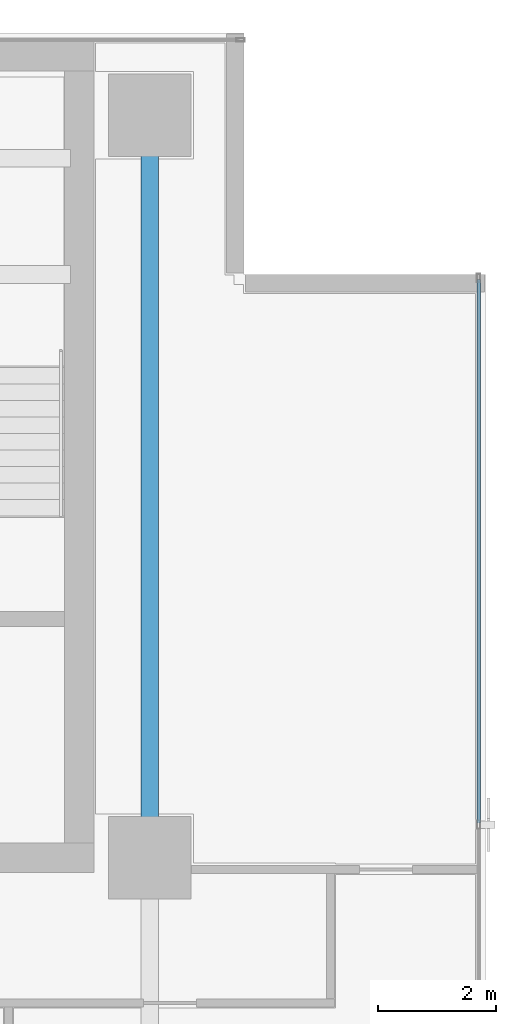
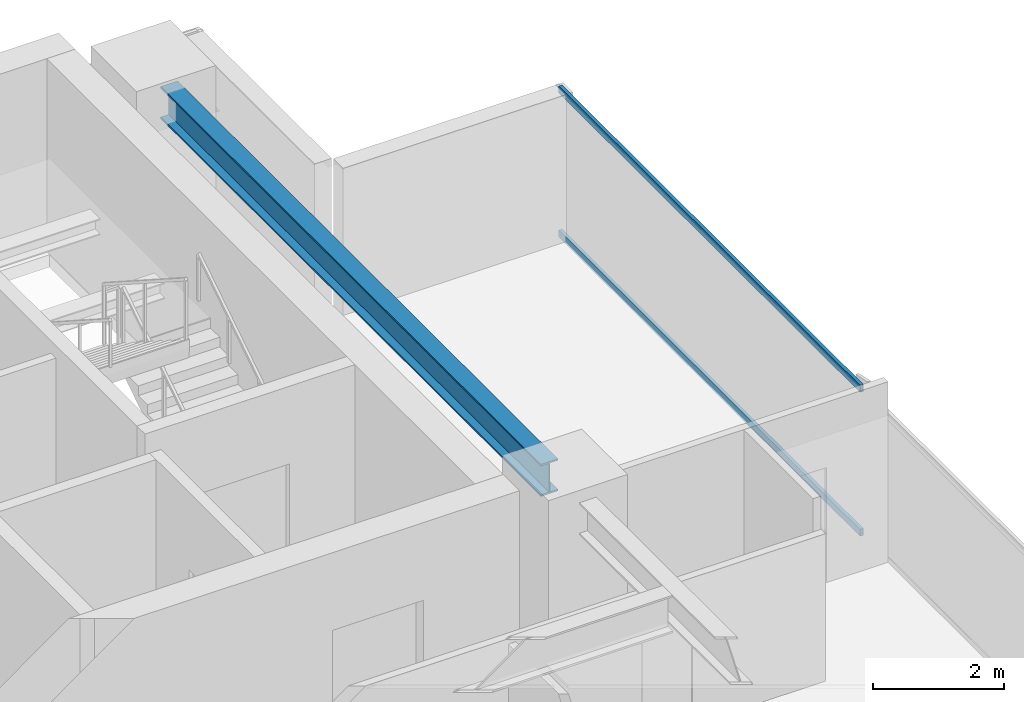
# One storey, part 14 of 25: 2 members, 1 beam, 1 element without a shape of its own.
"""IFC4 building model written with IfcOpenShell, lengths in metres."""

import ifcopenshell
import ifcopenshell.guid

model = None  # the IFC model being written
_history = None  # IfcOwnerHistory: only IFC2X3 demands one
_inside = {}  # id of a spatial element -> (the spatial element, [elements in it])
_under = {}  # id of a project, library or spatial element -> (it, [spatial elements below it])
_declared = {}  # id of a project -> (the project, [libraries it declares])
_typed = {}  # id of a type object -> (the type object, [elements of that type])
_made_of = {}  # id of a material, layer set ... -> (it, [elements and type objects made of it])


def new_model(schema):
    """Start an empty IFC model of exactly this schema.

    Asked for "IFC4X3", IfcOpenShell would pick the latest addendum, in which some entities
    have other attributes; the version numbers below select the first issue.
    IFC2X3 requires an IfcOwnerHistory on every rooted entity: one is made here for all.
    """
    global model, _history
    if schema == "IFC4X3":
        model = ifcopenshell.file(schema_version=(4, 3, 0, 0))
    else:
        model = ifcopenshell.file(schema=schema)
    _inside.clear()
    _under.clear()
    _declared.clear()
    _typed.clear()
    _made_of.clear()
    _history = None
    if model.schema == "IFC2X3":
        org = make("IfcOrganization", Name="unknown")
        user = make(
            "IfcPersonAndOrganization",
            ThePerson=make("IfcPerson", FamilyName="unknown"),
            TheOrganization=org,
        )
        app = make(
            "IfcApplication",
            ApplicationDeveloper=org,
            Version="unknown",
            ApplicationFullName="unknown",
            ApplicationIdentifier="unknown",
        )
        _history = make(
            "IfcOwnerHistory",
            OwningUser=user,
            OwningApplication=app,
            ChangeAction="ADDED",
            CreationDate=0,
        )
    return model


def make(cls, **values):
    """One entity of the class cls with the attributes given. An attribute that is None is left unset."""
    return model.create_entity(
        cls, **{name: value for name, value in values.items() if value is not None}
    )


def rooted(cls, **values):
    """An entity with a GlobalId (a new one), such as an element, a storey or a relation."""
    return make(cls, GlobalId=ifcopenshell.guid.new(), OwnerHistory=_history, **values)


def si_unit(unit_type, name, prefix=None):
    """IfcSIUnit, for example si_unit("LENGTHUNIT", "METRE", prefix="MILLI")."""
    return make("IfcSIUnit", UnitType=unit_type, Prefix=prefix, Name=name)


def assignment(units):
    """IfcUnitAssignment: the units of a project."""
    return None if units is None else make("IfcUnitAssignment", Units=units)


def point(xyz):
    """IfcCartesianPoint."""
    return None if xyz is None else make("IfcCartesianPoint", Coordinates=xyz)


def direction(xyz):
    """IfcDirection."""
    return None if xyz is None else make("IfcDirection", DirectionRatios=xyz)


def frame(location, z_axis=None, x_axis=None):
    """IfcAxis2Placement3D, a coordinate frame: its origin and axes. An axis left out is left unset."""
    return make(
        "IfcAxis2Placement3D",
        Location=point(location),
        Axis=direction(z_axis),
        RefDirection=direction(x_axis),
    )


def frame_2d(location, x_axis=None):
    """IfcAxis2Placement2D, a coordinate frame in the plane: its origin and x axis."""
    return make(
        "IfcAxis2Placement2D", Location=point(location), RefDirection=direction(x_axis)
    )


def origin():
    """The frame at (0, 0, 0) with its axes left unset."""
    return frame((0.0, 0.0, 0.0))


def origin_2d():
    """The frame at (0, 0) in the plane with its x axis left unset."""
    return frame_2d((0.0, 0.0))


def place(relative_to, where):
    """IfcLocalPlacement: puts the frame where relative to a parent placement (None: the world)."""
    return make(
        "IfcLocalPlacement", PlacementRelTo=relative_to, RelativePlacement=where
    )


def context(
    kind, dimensions, precision=None, world=None, true_north=None, identifier=None
):
    """IfcGeometricRepresentationContext, for example the 3D "Model" context."""
    return make(
        "IfcGeometricRepresentationContext",
        ContextIdentifier=identifier,
        ContextType=kind,
        CoordinateSpaceDimension=dimensions,
        Precision=precision,
        WorldCoordinateSystem=world,
        TrueNorth=true_north,
    )


def subcontext(parent, identifier, kind, view, scale=None):
    """IfcGeometricRepresentationSubContext, for example "Body" below "Model"."""
    return make(
        "IfcGeometricRepresentationSubContext",
        ContextIdentifier=identifier,
        ContextType=kind,
        ParentContext=parent,
        TargetScale=scale,
        TargetView=view,
    )


def project(units=None, contexts=None):
    """IfcProject with its units and contexts."""
    return rooted(
        "IfcProject",
        Name="project",
        RepresentationContexts=contexts,
        UnitsInContext=assignment(units),
    )


def spatial(cls, under=None, at=None, **own):
    """A site, building, storey or space (cls), placed at a placement, below another one or the project."""
    s = rooted(cls, ObjectPlacement=at, **own)
    if under is not None:
        _under.setdefault(under.id(), (under, []))[1].append(s)
    return s


def profile(cls, at=None, kind="AREA", **sizes):
    """A parametric profile (cls). Its sizes go by their IFC names, for example OverallWidth=200.0."""
    return make(cls, ProfileType=kind, Position=at, **sizes)


def hollow_rectangle(**sizes):
    """IfcRectangleHollowProfileDef."""
    return profile("IfcRectangleHollowProfileDef", **sizes)


def i_section(**sizes):
    """IfcIShapeProfileDef."""
    return profile("IfcIShapeProfileDef", **sizes)


def extrude(swept, where, along, depth):
    """IfcExtrudedAreaSolid: the profile swept, set in the frame where, extruded along a direction by depth."""
    return make(
        "IfcExtrudedAreaSolid",
        SweptArea=swept,
        Position=where,
        ExtrudedDirection=direction(along),
        Depth=depth,
    )


def shape(context_of_items, identifier, shape_type, items):
    """IfcShapeRepresentation: the items that make up one representation, for example the "Body"."""
    return make(
        "IfcShapeRepresentation",
        ContextOfItems=context_of_items,
        RepresentationIdentifier=identifier,
        RepresentationType=shape_type,
        Items=items,
    )


def source(mapping_origin, context_of_items, identifier, shape_type, items):
    """IfcRepresentationMap: a shape defined once, which mapped items show again and again."""
    return make(
        "IfcRepresentationMap",
        MappingOrigin=mapping_origin,
        MappedRepresentation=shape(context_of_items, identifier, shape_type, items),
    )


def transform(
    local_origin,
    x_axis=None,
    y_axis=None,
    z_axis=None,
    scale=None,
    scale2=None,
    scale3=None,
    uniform=True,
):
    """IfcCartesianTransformationOperator3D, or its non-uniform kind. x_axis, y_axis, z_axis: its Axis1, 2, 3."""
    if uniform:
        return make(
            "IfcCartesianTransformationOperator3D",
            Axis1=direction(x_axis),
            Axis2=direction(y_axis),
            LocalOrigin=point(local_origin),
            Scale=scale,
            Axis3=direction(z_axis),
        )
    return make(
        "IfcCartesianTransformationOperator3DnonUniform",
        Axis1=direction(x_axis),
        Axis2=direction(y_axis),
        LocalOrigin=point(local_origin),
        Scale=scale,
        Axis3=direction(z_axis),
        Scale2=scale2,
        Scale3=scale3,
    )


def mapped(mapping_source, mapping_target):
    """IfcMappedItem: shows the shape of a source again, moved by a transform."""
    return make(
        "IfcMappedItem", MappingSource=mapping_source, MappingTarget=mapping_target
    )


def material(Name=None, Category=None):
    """IfcMaterial."""
    return make("IfcMaterial", Name=Name, Category=Category)


def layer(
    of_material, thickness, ventilated=None, Name=None, Category=None, Priority=None
):
    """IfcMaterialLayer: one layer of a wall or slab, of a material (None: an air gap)."""
    return make(
        "IfcMaterialLayer",
        Material=of_material,
        LayerThickness=thickness,
        IsVentilated=ventilated,
        Name=Name,
        Category=Category,
        Priority=Priority,
    )


def layer_set(layers, Name=None):
    """IfcMaterialLayerSet."""
    return make("IfcMaterialLayerSet", MaterialLayers=layers, LayerSetName=Name)


def material_profile(
    of_material, cross_section, Name=None, Category=None, Priority=None
):
    """IfcMaterialProfile: a cross section and its material."""
    return make(
        "IfcMaterialProfile",
        Name=Name,
        Material=of_material,
        Profile=cross_section,
        Priority=Priority,
        Category=Category,
    )


def profile_set(profiles, Name=None, composite=None):
    """IfcMaterialProfileSet."""
    return make(
        "IfcMaterialProfileSet",
        Name=Name,
        MaterialProfiles=profiles,
        CompositeProfile=composite,
    )


def made_of(thing, what):
    """Note that an element or type object is made of a material, layer set ...; save() writes the relation."""
    if what is not None:
        _made_of.setdefault(what.id(), (what, []))[1].append(thing)
    return thing


def type_object(cls, material=None, **own):
    """A type object (cls), such as IfcWallType, which elements share."""
    return made_of(rooted(cls, **own), material)


def element(
    cls,
    number,
    at=None,
    inside=None,
    cuts=None,
    type_object=None,
    material=None,
    context=None,
    identifier="Body",
    shape_type=None,
    held_by="IfcProductDefinitionShape",
    body=None,
    shapes=None,
    **own,
):
    """One element of the class cls, such as IfcWall. Its Tag is "e" and its number.

    at: its placement. inside: the storey or other place that contains it. cuts: it is an
    opening in that element (IfcRelVoidsElement). A single representation is given by context,
    identifier, shape_type and body (its items); several are given by shapes. held_by: the class
    of the entity that holds the representations. save() writes the other relations.
    """
    e = rooted(cls, Tag="e%d" % number, ObjectPlacement=at, **own)
    if body is not None:
        shapes = [shape(context, identifier, shape_type, body)]
    if shapes is not None:
        e.Representation = make(held_by, Representations=shapes)
    if inside is not None:
        _inside.setdefault(inside.id(), (inside, []))[1].append(e)
    if cuts is not None:
        rooted(
            "IfcRelVoidsElement", RelatingBuildingElement=cuts, RelatedOpeningElement=e
        )
    if type_object is not None:
        _typed.setdefault(type_object.id(), (type_object, []))[1].append(e)
    return made_of(e, material)


def aggregate(whole, parts):
    """IfcRelAggregates: a whole, such as a stair, and the parts it consists of."""
    return rooted("IfcRelAggregates", RelatingObject=whole, RelatedObjects=parts)


def save(model, path):
    """Write the relations noted so far, then the file.

    IfcRelAggregates (storeys below a building ...), IfcRelContainedInSpatialStructure (elements
    in a storey), IfcRelDefinesByType, IfcRelAssociatesMaterial and IfcRelDeclares: one each for
    every whole, place, type object, material and project.
    """
    for whole, parts in _under.values():
        aggregate(whole, parts)
    for where, things in _inside.values():
        rooted(
            "IfcRelContainedInSpatialStructure",
            RelatedElements=things,
            RelatingStructure=where,
        )
    for kind, things in _typed.values():
        rooted("IfcRelDefinesByType", RelatedObjects=things, RelatingType=kind)
    for what, things in _made_of.values():
        rooted("IfcRelAssociatesMaterial", RelatedObjects=things, RelatingMaterial=what)
    for by, libraries in _declared.values():
        rooted("IfcRelDeclares", RelatingContext=by, RelatedDefinitions=libraries)
    model.write(path)


model = new_model("IFC4")

# Units and contexts
model_context = context("Model", 3, precision=1e-05, world=origin(), true_north=direction((0.0, 1.0)))
body_context = subcontext(model_context, "Body", "Model", "MODEL_VIEW")
ifc_project = project(units=[si_unit("LENGTHUNIT", "METRE"), si_unit("AREAUNIT", "SQUARE_METRE"), si_unit("VOLUMEUNIT", "CUBIC_METRE"), si_unit("PLANEANGLEUNIT", "RADIAN"), si_unit("MASSUNIT", "GRAM", prefix="KILO")], contexts=[model_context])

# Site, building, storey
site_placement = place(None, origin())
site = spatial("IfcSite", under=ifc_project, at=site_placement, CompositionType="ELEMENT")
building_placement = place(site_placement, origin())
building = spatial("IfcBuilding", under=site, at=building_placement, Name="Sumidabori Civic Tower", CompositionType="ELEMENT")
storey_placement = place(building_placement, frame((0.0, 0.0, 232.39990234375)))
storey = spatial("IfcBuildingStorey", under=building, at=storey_placement, Name="L60", CompositionType="ELEMENT", Elevation=232.39990234375)

# Beam
ifc_material_1 = material(Name="Steel SN490", Category="steel")
ifc_material_profile_1 = material_profile(ifc_material_1, i_section(OverallWidth=0.300048828125, OverallDepth=0.60009765625, WebThickness=0.015380859375, FlangeThickness=0.030029296875, at=origin_2d()), Name="HE 600 B")
ifc_profile_set_1 = profile_set([ifc_material_profile_1], Name="Steel SN490")
beam_type = type_object("IfcBeamType", Name="BM-GIRD-600", PredefinedType="BEAM", material=ifc_profile_set_1)
shared_shape_1 = source(origin(), body_context, "Body", "SweptSolid", [
    extrude(i_section(OverallWidth=0.300048828125, OverallDepth=0.60009765625, WebThickness=0.015380859375, FlangeThickness=0.030029296875, at=origin_2d()), origin(), (0.0, 0.0, 1.0), 11.64013671875),
])
beam_placement = place(storey_placement, frame((16.800048828125, 10.679931640625, 3.070068359375), z_axis=(0.0, 1.0, 0.0), x_axis=(-1.0, 0.0, 0.0)))
element("IfcBeam", 1, at=beam_placement, inside=storey, type_object=beam_type, Name="Primary Girder L60 GY-17", PredefinedType="BEAM", context=body_context, shape_type="MappedRepresentation", body=[
    mapped(shared_shape_1, transform((0.0, 0.0, 0.0), x_axis=(1.0, 0.0, 0.0), y_axis=(0.0, 1.0, 0.0), z_axis=(0.0, 0.0, 1.0), scale=1.0)),
])

# Curtain wall, members
ifc_material_2 = material(Name="Anodised Bronze Aluminium AW-6063-T6", Category="aluminium")
ifc_layer = layer(ifc_material_2, 0.179931640625, Name="Anodised Bronze Aluminium AW-6063-T6")
ifc_layer_set = layer_set([ifc_layer], Name="Anodised Bronze Aluminium AW-6063-T6")
curtain_wall_type = type_object("IfcCurtainWallType", Name="CW-SYS-5", PredefinedType="NOTDEFINED", material=ifc_layer_set)
curtain_wall_placement = place(storey_placement, origin())
curtain_wall = element("IfcCurtainWall", 2, at=curtain_wall_placement, inside=storey, type_object=curtain_wall_type, Name="Curtain Wall CW:L60:R04", PredefinedType="NOTDEFINED")
ifc_material_profile_2 = material_profile(ifc_material_2, hollow_rectangle(XDim=0.06005859375, YDim=0.1298828125, WallThickness=0.0048828125, at=origin_2d()), Name="ALU TRANSOM 130x60")
ifc_profile_set_2 = profile_set([ifc_material_profile_2], Name="Anodised Bronze Aluminium AW-6063-T6")
member_type = type_object("IfcMemberType", Name="CW-TRN-130", PredefinedType="USERDEFINED", material=ifc_profile_set_2)
shared_shape_2 = source(origin(), body_context, "Body", "SweptSolid", [
    extrude(hollow_rectangle(XDim=0.06005859375, YDim=0.1298828125, WallThickness=0.0048828125, at=origin_2d()), origin(), (0.0, 0.0, 1.0), 9.223388671875),
])
member_1_placement = place(storey_placement, frame((22.3798828125, 10.78662109375, 0.030029296875), z_axis=(0.0, 1.0, 0.0), x_axis=(-1.0, 0.0, 0.0)))
member_1 = element("IfcMember", 3, at=member_1_placement, type_object=member_type, Name="CW-5 transom 3.1", ObjectType="TRANSOM", PredefinedType="USERDEFINED", context=body_context, shape_type="MappedRepresentation", body=[
    mapped(shared_shape_2, transform((0.0, 0.0, 0.0), x_axis=(1.0, 0.0, 0.0), y_axis=(0.0, 1.0, 0.0), z_axis=(0.0, 0.0, 1.0), scale=1.0)),
])
member_2_placement = place(storey_placement, frame((22.3798828125, 10.78662109375, 2.72021484375), z_axis=(0.0, 1.0, 0.0), x_axis=(-1.0, 0.0, 0.0)))
member_2 = element("IfcMember", 4, at=member_2_placement, type_object=member_type, Name="CW-5 transom 3.2", ObjectType="TRANSOM", PredefinedType="USERDEFINED", context=body_context, shape_type="MappedRepresentation", body=[
    mapped(shared_shape_2, transform((0.0, 0.0, 0.0), x_axis=(1.0, 0.0, 0.0), y_axis=(0.0, 1.0, 0.0), z_axis=(0.0, 0.0, 1.0), scale=1.0)),
])
aggregate(curtain_wall, [member_1, member_2])

save(model, "model.ifc")
